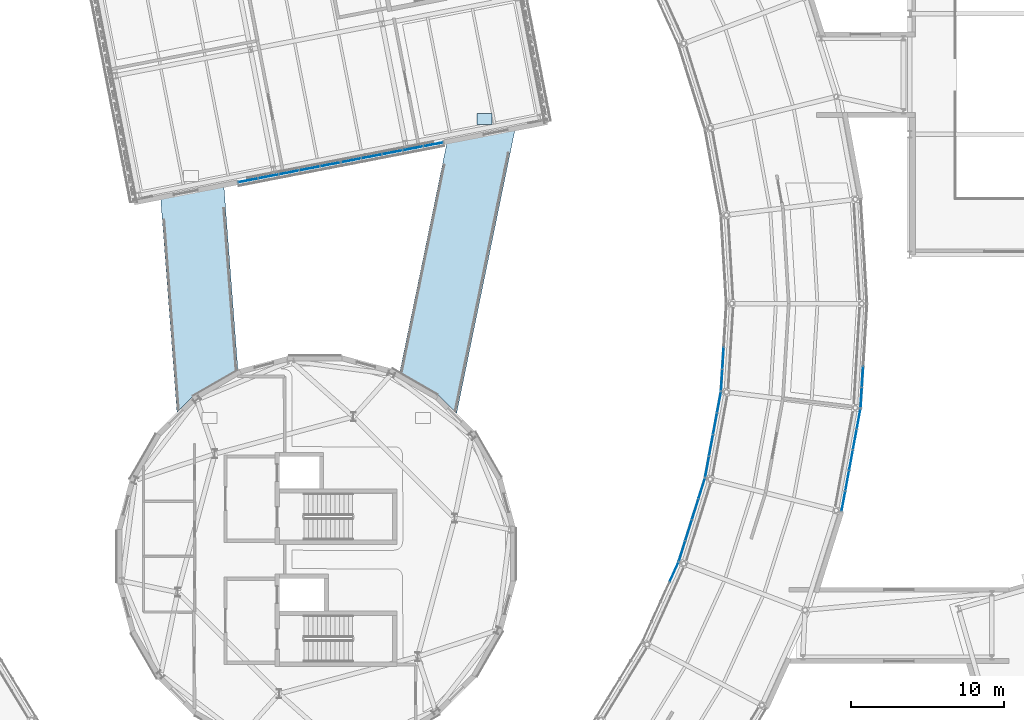
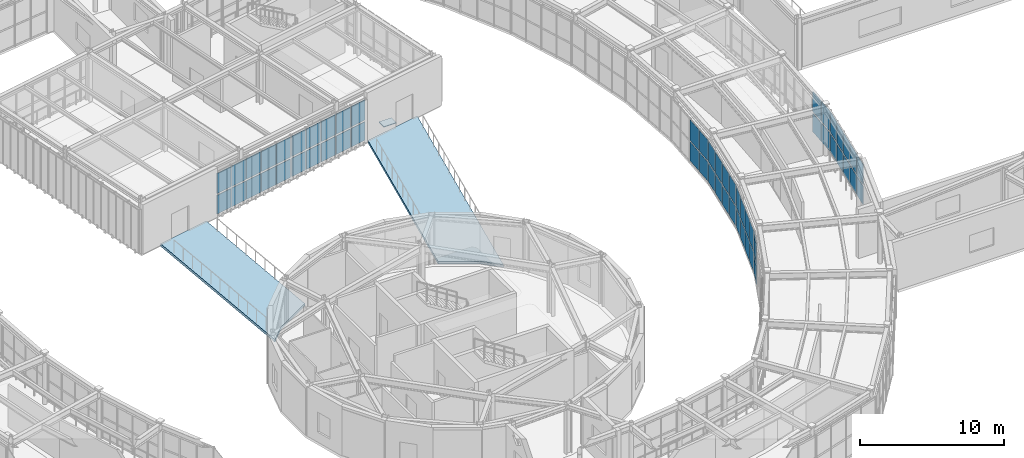
# One storey, part 61 of 103: 57 plates, 2 slabs, 8 elements without a shape of their own.
"""IFC4 building model written with IfcOpenShell, lengths in metres."""

from ifc_helpers import new_model, si_unit, direction, frame, origin, origin_2d, place, context, subcontext, project, spatial, polyline, rectangle, outline, extrude, material, layer, layer_set, type_object, element, aggregate, save


model = new_model("IFC4")

# Units and contexts
model_context = context("Model", 3, precision=1e-05, world=origin(), true_north=direction((0.0, 1.0)))
body_context = subcontext(model_context, "Body", "Model", "MODEL_VIEW")
ifc_project = project(units=[si_unit("LENGTHUNIT", "METRE"), si_unit("AREAUNIT", "SQUARE_METRE"), si_unit("VOLUMEUNIT", "CUBIC_METRE"), si_unit("PLANEANGLEUNIT", "RADIAN"), si_unit("MASSUNIT", "GRAM", prefix="KILO")], contexts=[model_context])

# Site, building, storey
site_placement = place(None, origin())
site = spatial("IfcSite", under=ifc_project, at=site_placement, CompositionType="ELEMENT")
building_placement = place(site_placement, origin())
building = spatial("IfcBuilding", under=site, at=building_placement, Name="Varnklinge Art Gallery", CompositionType="ELEMENT")
storey_placement = place(building_placement, frame((0.0, 0.0, 5.10009765625)))
storey = spatial("IfcBuildingStorey", under=building, at=storey_placement, Name="L01", CompositionType="ELEMENT", Elevation=5.10009765625)

# Curtain wall, plates
ifc_material_1 = material(Name="Anodised Aluminium", Category="aluminium")
curtain_wall_type_1 = type_object("IfcCurtainWallType", Name="CW-R04", PredefinedType="USERDEFINED", material=ifc_material_1)
curtain_wall_1_placement = place(storey_placement, origin())
curtain_wall_1 = element("IfcCurtainWall", 1, at=curtain_wall_1_placement, inside=storey, type_object=curtain_wall_type_1, Name="L01 Curtain Wall CW-V2I-L01-03", ObjectType="UNITISED CURTAIN WALL", PredefinedType="USERDEFINED")
ifc_material_2 = material(Name="Insulated Low-E Triple Glazing", Category="glass")
ifc_layer_1 = layer(ifc_material_2, 0.031982421875)
ifc_layer_set_1 = layer_set([ifc_layer_1], Name="Insulated Low-E Triple Glazing")
plate_type_1 = type_object("IfcPlateType", Name="GLZ-32", PredefinedType="CURTAIN_PANEL", material=ifc_layer_set_1)
plate_1_placement = place(storey_placement, frame((98.960205078125, 37.400390625, 0.11767578125), z_axis=(0.0, 0.0, 1.0), x_axis=(-0.413422293217, -0.910539404678, 0.0)))
plate_1 = element("IfcPlate", 2, at=plate_1_placement, type_object=plate_type_1, Name="CW-V2I-L01-03 Glazing Panel 1.1", PredefinedType="CURTAIN_PANEL", context=body_context, shape_type="SweptSolid", body=[
    extrude(rectangle(XDim=1.355712890625, YDim=0.031982421875, at=origin_2d()), origin(), (0.0, 0.0, 1.0), 1.614501953125),
])
plate_2_placement = place(storey_placement, frame((98.960205078125, 37.400390625, 1.84814453125), z_axis=(0.0, 0.0, 1.0), x_axis=(-0.413422293217, -0.910539404678, 0.0)))
plate_2 = element("IfcPlate", 3, at=plate_2_placement, type_object=plate_type_1, Name="CW-V2I-L01-03 Glazing Panel 1.2", PredefinedType="CURTAIN_PANEL", context=body_context, shape_type="SweptSolid", body=[
    extrude(rectangle(XDim=1.355712890625, YDim=0.031982421875, at=origin_2d()), origin(), (0.0, 0.0, 1.0), 1.763671875),
])
aggregate(curtain_wall_1, [plate_1, plate_2])

curtain_wall_2_placement = place(storey_placement, origin())
curtain_wall_2 = element("IfcCurtainWall", 4, at=curtain_wall_2_placement, inside=storey, type_object=curtain_wall_type_1, Name="L01 Curtain Wall CW-V2I-L01-04", ObjectType="UNITISED CURTAIN WALL", PredefinedType="USERDEFINED")
plate_3_placement = place(storey_placement, frame((100.7724609375, 42.870361328125, 0.11767578125), z_axis=(0.0, 0.0, 1.0), x_axis=(-0.299706904751, -0.954031326134, 0.0)))
plate_3 = element("IfcPlate", 5, at=plate_3_placement, type_object=plate_type_1, Name="CW-V2I-L01-04 Glazing Panel 1.1", PredefinedType="CURTAIN_PANEL", context=body_context, shape_type="SweptSolid", body=[
    extrude(rectangle(XDim=1.355712890625, YDim=0.031982421875, at=origin_2d()), origin(), (0.0, 0.0, 1.0), 1.614501953125),
])
plate_4_placement = place(storey_placement, frame((100.7724609375, 42.870361328125, 1.84814453125), z_axis=(0.0, 0.0, 1.0), x_axis=(-0.299706904751, -0.954031326134, 0.0)))
plate_4 = element("IfcPlate", 6, at=plate_4_placement, type_object=plate_type_1, Name="CW-V2I-L01-04 Glazing Panel 1.2", PredefinedType="CURTAIN_PANEL", context=body_context, shape_type="SweptSolid", body=[
    extrude(rectangle(XDim=1.355712890625, YDim=0.031982421875, at=origin_2d()), origin(), (0.0, 0.0, 1.0), 1.763671875),
])
plate_5_placement = place(storey_placement, frame((100.3447265625, 41.509033203125, 0.11767578125), z_axis=(0.0, 0.0, 1.0), x_axis=(-0.299706904751, -0.954031326134, 0.0)))
plate_5 = element("IfcPlate", 7, at=plate_5_placement, type_object=plate_type_1, Name="CW-V2I-L01-04 Glazing Panel 2.1", PredefinedType="CURTAIN_PANEL", context=body_context, shape_type="SweptSolid", body=[
    extrude(rectangle(XDim=1.3857421875, YDim=0.031982421875, at=origin_2d()), origin(), (0.0, 0.0, 1.0), 1.614501953125),
])
plate_6_placement = place(storey_placement, frame((100.3447265625, 41.509033203125, 1.84814453125), z_axis=(0.0, 0.0, 1.0), x_axis=(-0.299706904751, -0.954031326134, 0.0)))
plate_6 = element("IfcPlate", 8, at=plate_6_placement, type_object=plate_type_1, Name="CW-V2I-L01-04 Glazing Panel 2.2", PredefinedType="CURTAIN_PANEL", context=body_context, shape_type="SweptSolid", body=[
    extrude(rectangle(XDim=1.3857421875, YDim=0.031982421875, at=origin_2d()), origin(), (0.0, 0.0, 1.0), 1.763671875),
])
plate_7_placement = place(storey_placement, frame((99.91259765625, 40.1337890625, 0.11767578125), z_axis=(0.0, 0.0, 1.0), x_axis=(-0.299706904751, -0.954031326134, 0.0)))
plate_7 = element("IfcPlate", 9, at=plate_7_placement, type_object=plate_type_1, Name="CW-V2I-L01-04 Glazing Panel 3.1", PredefinedType="CURTAIN_PANEL", context=body_context, shape_type="SweptSolid", body=[
    extrude(rectangle(XDim=1.3857421875, YDim=0.031982421875, at=origin_2d()), origin(), (0.0, 0.0, 1.0), 1.614501953125),
])
plate_8_placement = place(storey_placement, frame((99.91259765625, 40.1337890625, 1.84814453125), z_axis=(0.0, 0.0, 1.0), x_axis=(-0.299706904751, -0.954031326134, 0.0)))
plate_8 = element("IfcPlate", 10, at=plate_8_placement, type_object=plate_type_1, Name="CW-V2I-L01-04 Glazing Panel 3.2", PredefinedType="CURTAIN_PANEL", context=body_context, shape_type="SweptSolid", body=[
    extrude(rectangle(XDim=1.3857421875, YDim=0.031982421875, at=origin_2d()), origin(), (0.0, 0.0, 1.0), 1.763671875),
])
plate_9_placement = place(storey_placement, frame((99.485107421875, 38.7724609375, 0.11767578125), z_axis=(0.0, 0.0, 1.0), x_axis=(-0.299706904751, -0.954031326134, 0.0)))
plate_9 = element("IfcPlate", 11, at=plate_9_placement, type_object=plate_type_1, Name="CW-V2I-L01-04 Glazing Panel 4.1", PredefinedType="CURTAIN_PANEL", context=body_context, shape_type="SweptSolid", body=[
    extrude(rectangle(XDim=1.355712890625, YDim=0.031982421875, at=origin_2d()), origin(), (0.0, 0.0, 1.0), 1.614501953125),
])
plate_10_placement = place(storey_placement, frame((99.485107421875, 38.7724609375, 1.84814453125), z_axis=(0.0, 0.0, 1.0), x_axis=(-0.299706904751, -0.954031326134, 0.0)))
plate_10 = element("IfcPlate", 12, at=plate_10_placement, type_object=plate_type_1, Name="CW-V2I-L01-04 Glazing Panel 4.2", PredefinedType="CURTAIN_PANEL", context=body_context, shape_type="SweptSolid", body=[
    extrude(rectangle(XDim=1.355712890625, YDim=0.031982421875, at=origin_2d()), origin(), (0.0, 0.0, 1.0), 1.763671875),
])
aggregate(curtain_wall_2, [plate_3, plate_4, plate_5, plate_6, plate_7, plate_8, plate_9, plate_10])

curtain_wall_3_placement = place(storey_placement, origin())
curtain_wall_3 = element("IfcCurtainWall", 13, at=curtain_wall_3_placement, inside=storey, type_object=curtain_wall_type_1, Name="L01 Curtain Wall CW-V2I-L01-05", ObjectType="UNITISED CURTAIN WALL", PredefinedType="USERDEFINED")
plate_11_placement = place(storey_placement, frame((101.906982421875, 48.52001953125, 0.11767578125), z_axis=(0.0, 0.0, 1.0), x_axis=(-0.181549039717, -0.983381892338, 0.0)))
plate_11 = element("IfcPlate", 14, at=plate_11_placement, type_object=plate_type_1, Name="CW-V2I-L01-05 Glazing Panel 1.1", PredefinedType="CURTAIN_PANEL", context=body_context, shape_type="SweptSolid", body=[
    extrude(rectangle(XDim=1.355712890625, YDim=0.031982421875, at=origin_2d()), origin(), (0.0, 0.0, 1.0), 1.614501953125),
])
plate_12_placement = place(storey_placement, frame((101.906982421875, 48.52001953125, 1.84814453125), z_axis=(0.0, 0.0, 1.0), x_axis=(-0.181549039717, -0.983381892338, 0.0)))
plate_12 = element("IfcPlate", 15, at=plate_12_placement, type_object=plate_type_1, Name="CW-V2I-L01-05 Glazing Panel 1.2", PredefinedType="CURTAIN_PANEL", context=body_context, shape_type="SweptSolid", body=[
    extrude(rectangle(XDim=1.355712890625, YDim=0.031982421875, at=origin_2d()), origin(), (0.0, 0.0, 1.0), 1.763671875),
])
plate_13_placement = place(storey_placement, frame((101.647705078125, 47.116943359375, 0.11767578125), z_axis=(0.0, 0.0, 1.0), x_axis=(-0.181549039717, -0.983381892338, 0.0)))
plate_13 = element("IfcPlate", 16, at=plate_13_placement, type_object=plate_type_1, Name="CW-V2I-L01-05 Glazing Panel 2.1", PredefinedType="CURTAIN_PANEL", context=body_context, shape_type="SweptSolid", body=[
    extrude(rectangle(XDim=1.3857421875, YDim=0.031982421875, at=origin_2d()), origin(), (0.0, 0.0, 1.0), 1.614501953125),
])
plate_14_placement = place(storey_placement, frame((101.647705078125, 47.116943359375, 1.84814453125), z_axis=(0.0, 0.0, 1.0), x_axis=(-0.181549039717, -0.983381892338, 0.0)))
plate_14 = element("IfcPlate", 17, at=plate_14_placement, type_object=plate_type_1, Name="CW-V2I-L01-05 Glazing Panel 2.2", PredefinedType="CURTAIN_PANEL", context=body_context, shape_type="SweptSolid", body=[
    extrude(rectangle(XDim=1.3857421875, YDim=0.031982421875, at=origin_2d()), origin(), (0.0, 0.0, 1.0), 1.763671875),
])
plate_15_placement = place(storey_placement, frame((101.385986328125, 45.69921875, 0.11767578125), z_axis=(0.0, 0.0, 1.0), x_axis=(-0.181549039717, -0.983381892338, 0.0)))
plate_15 = element("IfcPlate", 18, at=plate_15_placement, type_object=plate_type_1, Name="CW-V2I-L01-05 Glazing Panel 3.1", PredefinedType="CURTAIN_PANEL", context=body_context, shape_type="SweptSolid", body=[
    extrude(rectangle(XDim=1.3857421875, YDim=0.031982421875, at=origin_2d()), origin(), (0.0, 0.0, 1.0), 1.614501953125),
])
plate_16_placement = place(storey_placement, frame((101.385986328125, 45.69921875, 1.84814453125), z_axis=(0.0, 0.0, 1.0), x_axis=(-0.181549039717, -0.983381892338, 0.0)))
plate_16 = element("IfcPlate", 19, at=plate_16_placement, type_object=plate_type_1, Name="CW-V2I-L01-05 Glazing Panel 3.2", PredefinedType="CURTAIN_PANEL", context=body_context, shape_type="SweptSolid", body=[
    extrude(rectangle(XDim=1.3857421875, YDim=0.031982421875, at=origin_2d()), origin(), (0.0, 0.0, 1.0), 1.763671875),
])
plate_17_placement = place(storey_placement, frame((101.126708984375, 44.296142578125, 0.11767578125), z_axis=(0.0, 0.0, 1.0), x_axis=(-0.181549039717, -0.983381892338, 0.0)))
plate_17 = element("IfcPlate", 20, at=plate_17_placement, type_object=plate_type_1, Name="CW-V2I-L01-05 Glazing Panel 4.1", PredefinedType="CURTAIN_PANEL", context=body_context, shape_type="SweptSolid", body=[
    extrude(rectangle(XDim=1.355712890625, YDim=0.031982421875, at=origin_2d()), origin(), (0.0, 0.0, 1.0), 1.614501953125),
])
plate_18_placement = place(storey_placement, frame((101.126708984375, 44.296142578125, 1.84814453125), z_axis=(0.0, 0.0, 1.0), x_axis=(-0.181549039717, -0.983381892338, 0.0)))
plate_18 = element("IfcPlate", 21, at=plate_18_placement, type_object=plate_type_1, Name="CW-V2I-L01-05 Glazing Panel 4.2", PredefinedType="CURTAIN_PANEL", context=body_context, shape_type="SweptSolid", body=[
    extrude(rectangle(XDim=1.355712890625, YDim=0.031982421875, at=origin_2d()), origin(), (0.0, 0.0, 1.0), 1.763671875),
])
aggregate(curtain_wall_3, [plate_11, plate_12, plate_13, plate_14, plate_15, plate_16, plate_17, plate_18])

curtain_wall_4_placement = place(storey_placement, origin())
curtain_wall_4 = element("IfcCurtainWall", 22, at=curtain_wall_4_placement, inside=storey, type_object=curtain_wall_type_1, Name="L01 Curtain Wall CW-V2I-L01-06", ObjectType="UNITISED CURTAIN WALL", PredefinedType="USERDEFINED")
plate_19_placement = place(storey_placement, frame((102.172119140625, 51.40234375, 0.11767578125), z_axis=(0.0, 0.0, 1.0), x_axis=(-0.06087433122, -0.9981454382, 0.0)))
plate_19 = element("IfcPlate", 23, at=plate_19_placement, type_object=plate_type_1, Name="CW-V2I-L01-06 Glazing Panel 3.1", PredefinedType="CURTAIN_PANEL", context=body_context, shape_type="SweptSolid", body=[
    extrude(rectangle(XDim=1.3857421875, YDim=0.031982421875, at=origin_2d()), origin(), (0.0, 0.0, 1.0), 1.614501953125),
])
plate_20_placement = place(storey_placement, frame((102.172119140625, 51.40234375, 1.84814453125), z_axis=(0.0, 0.0, 1.0), x_axis=(-0.06087433122, -0.9981454382, 0.0)))
plate_20 = element("IfcPlate", 24, at=plate_20_placement, type_object=plate_type_1, Name="CW-V2I-L01-06 Glazing Panel 3.2", PredefinedType="CURTAIN_PANEL", context=body_context, shape_type="SweptSolid", body=[
    extrude(rectangle(XDim=1.3857421875, YDim=0.031982421875, at=origin_2d()), origin(), (0.0, 0.0, 1.0), 1.763671875),
])
plate_21_placement = place(storey_placement, frame((102.08544921875, 49.97802734375, 0.11767578125), z_axis=(0.0, 0.0, 1.0), x_axis=(-0.06087433122, -0.9981454382, 0.0)))
plate_21 = element("IfcPlate", 25, at=plate_21_placement, type_object=plate_type_1, Name="CW-V2I-L01-06 Glazing Panel 4.1", PredefinedType="CURTAIN_PANEL", context=body_context, shape_type="SweptSolid", body=[
    extrude(rectangle(XDim=1.355712890625, YDim=0.031982421875, at=origin_2d()), origin(), (0.0, 0.0, 1.0), 1.614501953125),
])
plate_22_placement = place(storey_placement, frame((102.08544921875, 49.97802734375, 1.84814453125), z_axis=(0.0, 0.0, 1.0), x_axis=(-0.06087433122, -0.9981454382, 0.0)))
plate_22 = element("IfcPlate", 26, at=plate_22_placement, type_object=plate_type_1, Name="CW-V2I-L01-06 Glazing Panel 4.2", PredefinedType="CURTAIN_PANEL", context=body_context, shape_type="SweptSolid", body=[
    extrude(rectangle(XDim=1.355712890625, YDim=0.031982421875, at=origin_2d()), origin(), (0.0, 0.0, 1.0), 1.763671875),
])
aggregate(curtain_wall_4, [plate_19, plate_20, plate_21, plate_22])

ifc_material_3 = material(Name="Anodised Aluminium", Category="aluminium")
curtain_wall_type_2 = type_object("IfcCurtainWallType", Name="CW-R02", PredefinedType="USERDEFINED", material=ifc_material_3)
curtain_wall_5_placement = place(storey_placement, origin())
curtain_wall_5 = element("IfcCurtainWall", 27, at=curtain_wall_5_placement, inside=storey, type_object=curtain_wall_type_2, Name="L01 Curtain Wall CW-V2O-L01-05", ObjectType="UNITISED CURTAIN WALL", PredefinedType="USERDEFINED")
ifc_material_4 = material(Name="Insulated Low-E Triple Glazing", Category="glass")
ifc_layer_2 = layer(ifc_material_4, 0.0380859375)
ifc_layer_set_2 = layer_set([ifc_layer_2], Name="Insulated Low-E Triple Glazing")
plate_type_2 = type_object("IfcPlateType", Name="GLZ-38", PredefinedType="CURTAIN_PANEL", material=ifc_layer_set_2)
plate_23_placement = place(storey_placement, frame((110.066162109375, 42.043212890625, 0.14794921875), z_axis=(0.0, 0.0, 1.0), x_axis=(0.18172066947, 0.983350191075, 0.0)))
plate_23 = element("IfcPlate", 28, at=plate_23_placement, type_object=plate_type_2, Name="CW-V2O-L01-05 Glazing Panel 1.1", PredefinedType="CURTAIN_PANEL", context=body_context, shape_type="SweptSolid", body=[
    extrude(rectangle(XDim=1.2841796875, YDim=0.0380859375, at=origin_2d()), origin(), (0.0, 0.0, 1.0), 1.5693359375),
])
plate_24_placement = place(storey_placement, frame((110.066162109375, 42.043212890625, 1.86328125), z_axis=(0.0, 0.0, 1.0), x_axis=(0.18172066947, 0.983350191075, 0.0)))
plate_24 = element("IfcPlate", 29, at=plate_24_placement, type_object=plate_type_2, Name="CW-V2O-L01-05 Glazing Panel 1.2", PredefinedType="CURTAIN_PANEL", context=body_context, shape_type="SweptSolid", body=[
    extrude(rectangle(XDim=1.2841796875, YDim=0.0380859375, at=origin_2d()), origin(), (0.0, 0.0, 1.0), 1.718505859375),
])
plate_25_placement = place(storey_placement, frame((110.3134765625, 43.382080078125, 0.14794921875), z_axis=(0.0, 0.0, 1.0), x_axis=(0.18172066947, 0.983350191075, 0.0)))
plate_25 = element("IfcPlate", 30, at=plate_25_placement, type_object=plate_type_2, Name="CW-V2O-L01-05 Glazing Panel 2.1", PredefinedType="CURTAIN_PANEL", context=body_context, shape_type="SweptSolid", body=[
    extrude(rectangle(XDim=1.31689453125, YDim=0.0380859375, at=origin_2d()), origin(), (0.0, 0.0, 1.0), 1.5693359375),
])
plate_26_placement = place(storey_placement, frame((110.3134765625, 43.382080078125, 1.86328125), z_axis=(0.0, 0.0, 1.0), x_axis=(0.18172066947, 0.983350191075, 0.0)))
plate_26 = element("IfcPlate", 31, at=plate_26_placement, type_object=plate_type_2, Name="CW-V2O-L01-05 Glazing Panel 2.2", PredefinedType="CURTAIN_PANEL", context=body_context, shape_type="SweptSolid", body=[
    extrude(rectangle(XDim=1.31689453125, YDim=0.0380859375, at=origin_2d()), origin(), (0.0, 0.0, 1.0), 1.718505859375),
])
plate_27_placement = place(storey_placement, frame((110.563720703125, 44.73681640625, 0.14794921875), z_axis=(0.0, 0.0, 1.0), x_axis=(0.18172066947, 0.983350191075, 0.0)))
plate_27 = element("IfcPlate", 32, at=plate_27_placement, type_object=plate_type_2, Name="CW-V2O-L01-05 Glazing Panel 3.1", PredefinedType="CURTAIN_PANEL", context=body_context, shape_type="SweptSolid", body=[
    extrude(rectangle(XDim=1.31689453125, YDim=0.0380859375, at=origin_2d()), origin(), (0.0, 0.0, 1.0), 1.5693359375),
])
plate_28_placement = place(storey_placement, frame((110.563720703125, 44.73681640625, 1.86328125), z_axis=(0.0, 0.0, 1.0), x_axis=(0.18172066947, 0.983350191075, 0.0)))
plate_28 = element("IfcPlate", 33, at=plate_28_placement, type_object=plate_type_2, Name="CW-V2O-L01-05 Glazing Panel 3.2", PredefinedType="CURTAIN_PANEL", context=body_context, shape_type="SweptSolid", body=[
    extrude(rectangle(XDim=1.31689453125, YDim=0.0380859375, at=origin_2d()), origin(), (0.0, 0.0, 1.0), 1.718505859375),
])
plate_29_placement = place(storey_placement, frame((110.81396484375, 46.091796875, 0.14794921875), z_axis=(0.0, 0.0, 1.0), x_axis=(0.18172066947, 0.983350191075, 0.0)))
plate_29 = element("IfcPlate", 34, at=plate_29_placement, type_object=plate_type_2, Name="CW-V2O-L01-05 Glazing Panel 4.1", PredefinedType="CURTAIN_PANEL", context=body_context, shape_type="SweptSolid", body=[
    extrude(rectangle(XDim=1.31689453125, YDim=0.0380859375, at=origin_2d()), origin(), (0.0, 0.0, 1.0), 1.5693359375),
])
plate_30_placement = place(storey_placement, frame((110.81396484375, 46.091796875, 1.86328125), z_axis=(0.0, 0.0, 1.0), x_axis=(0.18172066947, 0.983350191075, 0.0)))
plate_30 = element("IfcPlate", 35, at=plate_30_placement, type_object=plate_type_2, Name="CW-V2O-L01-05 Glazing Panel 4.2", PredefinedType="CURTAIN_PANEL", context=body_context, shape_type="SweptSolid", body=[
    extrude(rectangle(XDim=1.31689453125, YDim=0.0380859375, at=origin_2d()), origin(), (0.0, 0.0, 1.0), 1.718505859375),
])
plate_31_placement = place(storey_placement, frame((111.061279296875, 47.4306640625, 0.14794921875), z_axis=(0.0, 0.0, 1.0), x_axis=(0.18172066947, 0.983350191075, 0.0)))
plate_31 = element("IfcPlate", 36, at=plate_31_placement, type_object=plate_type_2, Name="CW-V2O-L01-05 Glazing Panel 5.1", PredefinedType="CURTAIN_PANEL", context=body_context, shape_type="SweptSolid", body=[
    extrude(rectangle(XDim=1.2841796875, YDim=0.0380859375, at=origin_2d()), origin(), (0.0, 0.0, 1.0), 1.5693359375),
])
plate_32_placement = place(storey_placement, frame((111.061279296875, 47.4306640625, 1.86328125), z_axis=(0.0, 0.0, 1.0), x_axis=(0.18172066947, 0.983350191075, 0.0)))
plate_32 = element("IfcPlate", 37, at=plate_32_placement, type_object=plate_type_2, Name="CW-V2O-L01-05 Glazing Panel 5.2", PredefinedType="CURTAIN_PANEL", context=body_context, shape_type="SweptSolid", body=[
    extrude(rectangle(XDim=1.2841796875, YDim=0.0380859375, at=origin_2d()), origin(), (0.0, 0.0, 1.0), 1.718505859375),
])
aggregate(curtain_wall_5, [plate_23, plate_24, plate_25, plate_26, plate_27, plate_28, plate_29, plate_30, plate_31, plate_32])

curtain_wall_6_placement = place(storey_placement, origin())
curtain_wall_6 = element("IfcCurtainWall", 38, at=curtain_wall_6_placement, inside=storey, type_object=curtain_wall_type_2, Name="L01 Curtain Wall CW-V2O-L01-06", ObjectType="UNITISED CURTAIN WALL", PredefinedType="USERDEFINED")
plate_33_placement = place(storey_placement, frame((111.232421875, 48.827880859375, 0.14794921875), z_axis=(0.0, 0.0, 1.0), x_axis=(0.06087433122, 0.9981454382, 0.0)))
plate_33 = element("IfcPlate", 39, at=plate_33_placement, type_object=plate_type_2, Name="CW-V2O-L01-06 Glazing Panel 1.1", PredefinedType="CURTAIN_PANEL", context=body_context, shape_type="SweptSolid", body=[
    extrude(rectangle(XDim=1.2841796875, YDim=0.0380859375, at=origin_2d()), origin(), (0.0, 0.0, 1.0), 1.5693359375),
])
plate_34_placement = place(storey_placement, frame((111.232421875, 48.827880859375, 1.86328125), z_axis=(0.0, 0.0, 1.0), x_axis=(0.06087433122, 0.9981454382, 0.0)))
plate_34 = element("IfcPlate", 40, at=plate_34_placement, type_object=plate_type_2, Name="CW-V2O-L01-06 Glazing Panel 1.2", PredefinedType="CURTAIN_PANEL", context=body_context, shape_type="SweptSolid", body=[
    extrude(rectangle(XDim=1.2841796875, YDim=0.0380859375, at=origin_2d()), origin(), (0.0, 0.0, 1.0), 1.718505859375),
])
plate_35_placement = place(storey_placement, frame((111.315185546875, 50.186767578125, 0.14794921875), z_axis=(0.0, 0.0, 1.0), x_axis=(0.06087433122, 0.9981454382, 0.0)))
plate_35 = element("IfcPlate", 41, at=plate_35_placement, type_object=plate_type_2, Name="CW-V2O-L01-06 Glazing Panel 2.1", PredefinedType="CURTAIN_PANEL", context=body_context, shape_type="SweptSolid", body=[
    extrude(rectangle(XDim=1.31689453125, YDim=0.0380859375, at=origin_2d()), origin(), (0.0, 0.0, 1.0), 1.5693359375),
])
plate_36_placement = place(storey_placement, frame((111.315185546875, 50.186767578125, 1.86328125), z_axis=(0.0, 0.0, 1.0), x_axis=(0.06087433122, 0.9981454382, 0.0)))
plate_36 = element("IfcPlate", 42, at=plate_36_placement, type_object=plate_type_2, Name="CW-V2O-L01-06 Glazing Panel 2.2", PredefinedType="CURTAIN_PANEL", context=body_context, shape_type="SweptSolid", body=[
    extrude(rectangle(XDim=1.31689453125, YDim=0.0380859375, at=origin_2d()), origin(), (0.0, 0.0, 1.0), 1.718505859375),
])
aggregate(curtain_wall_6, [plate_33, plate_34, plate_35, plate_36])

ifc_material_5 = material(Name="Anodised Aluminium", Category="aluminium")
curtain_wall_type_3 = type_object("IfcCurtainWallType", Name="CW-L02", PredefinedType="USERDEFINED", material=ifc_material_5)
curtain_wall_7_placement = place(storey_placement, origin())
curtain_wall_7 = element("IfcCurtainWall", 43, at=curtain_wall_7_placement, inside=storey, type_object=curtain_wall_type_3, Name="L01 Curtain Wall CW-V4B-L01-1-1-2", ObjectType="UNITISED CURTAIN WALL", PredefinedType="USERDEFINED")
ifc_material_6 = material(Name="Insulated Low-E Triple Glazing", Category="glass")
ifc_layer_3 = layer(ifc_material_6, 0.0439453125)
ifc_layer_set_3 = layer_set([ifc_layer_3], Name="Insulated Low-E Triple Glazing")
plate_type_3 = type_object("IfcPlateType", Name="GLZ-44", PredefinedType="CURTAIN_PANEL", material=ifc_layer_set_3)
plate_37_placement = place(storey_placement, frame((71.025146484375, 63.072998046875, 0.14794921875), z_axis=(0.0, 0.0, 1.0), x_axis=(0.981627183448, 0.190808995377, 0.0)))
plate_37 = element("IfcPlate", 44, at=plate_37_placement, type_object=plate_type_3, Name="CW-V4B-L01-1-1-2 Glazing Panel 1.1", PredefinedType="CURTAIN_PANEL", context=body_context, shape_type="SweptSolid", body=[
    extrude(rectangle(XDim=1.271484375, YDim=0.0439453125, at=origin_2d()), origin(), (0.0, 0.0, 1.0), 1.5791015625),
])
plate_38_placement = place(storey_placement, frame((71.025146484375, 63.072998046875, 1.872802734375), z_axis=(0.0, 0.0, 1.0), x_axis=(0.981627183448, 0.190808995377, 0.0)))
plate_38 = element("IfcPlate", 45, at=plate_38_placement, type_object=plate_type_3, Name="CW-V4B-L01-1-1-2 Glazing Panel 1.2", PredefinedType="CURTAIN_PANEL", context=body_context, shape_type="SweptSolid", body=[
    extrude(rectangle(XDim=1.271484375, YDim=0.0439453125, at=origin_2d()), origin(), (0.0, 0.0, 1.0), 1.72900390625),
])
plate_39_placement = place(storey_placement, frame((72.361572265625, 63.332763671875, 0.14794921875), z_axis=(0.0, 0.0, 1.0), x_axis=(0.981627183448, 0.190808995377, 0.0)))
plate_39 = element("IfcPlate", 46, at=plate_39_placement, type_object=plate_type_3, Name="CW-V4B-L01-1-1-2 Glazing Panel 2.1", PredefinedType="CURTAIN_PANEL", context=body_context, shape_type="SweptSolid", body=[
    extrude(rectangle(XDim=1.30908203125, YDim=0.0439453125, at=origin_2d()), origin(), (0.0, 0.0, 1.0), 1.5791015625),
])
plate_40_placement = place(storey_placement, frame((72.361572265625, 63.332763671875, 1.872802734375), z_axis=(0.0, 0.0, 1.0), x_axis=(0.981627183448, 0.190808995377, 0.0)))
plate_40 = element("IfcPlate", 47, at=plate_40_placement, type_object=plate_type_3, Name="CW-V4B-L01-1-1-2 Glazing Panel 2.2", PredefinedType="CURTAIN_PANEL", context=body_context, shape_type="SweptSolid", body=[
    extrude(rectangle(XDim=1.30908203125, YDim=0.0439453125, at=origin_2d()), origin(), (0.0, 0.0, 1.0), 1.72900390625),
])
plate_41_placement = place(storey_placement, frame((73.716064453125, 63.59619140625, 0.14794921875), z_axis=(0.0, 0.0, 1.0), x_axis=(0.981627183448, 0.190808995377, 0.0)))
plate_41 = element("IfcPlate", 48, at=plate_41_placement, type_object=plate_type_3, Name="CW-V4B-L01-1-1-2 Glazing Panel 3.1", PredefinedType="CURTAIN_PANEL", context=body_context, shape_type="SweptSolid", body=[
    extrude(rectangle(XDim=1.30908203125, YDim=0.0439453125, at=origin_2d()), origin(), (0.0, 0.0, 1.0), 1.5791015625),
])
plate_42_placement = place(storey_placement, frame((73.716064453125, 63.59619140625, 1.872802734375), z_axis=(0.0, 0.0, 1.0), x_axis=(0.981627183448, 0.190808995377, 0.0)))
plate_42 = element("IfcPlate", 49, at=plate_42_placement, type_object=plate_type_3, Name="CW-V4B-L01-1-1-2 Glazing Panel 3.2", PredefinedType="CURTAIN_PANEL", context=body_context, shape_type="SweptSolid", body=[
    extrude(rectangle(XDim=1.30908203125, YDim=0.0439453125, at=origin_2d()), origin(), (0.0, 0.0, 1.0), 1.72900390625),
])
plate_43_placement = place(storey_placement, frame((75.07080078125, 63.859375, 0.14794921875), z_axis=(0.0, 0.0, 1.0), x_axis=(0.981627183448, 0.190808995377, 0.0)))
plate_43 = element("IfcPlate", 50, at=plate_43_placement, type_object=plate_type_3, Name="CW-V4B-L01-1-1-2 Glazing Panel 4.1", PredefinedType="CURTAIN_PANEL", context=body_context, shape_type="SweptSolid", body=[
    extrude(rectangle(XDim=1.30908203125, YDim=0.0439453125, at=origin_2d()), origin(), (0.0, 0.0, 1.0), 1.5791015625),
])
plate_44_placement = place(storey_placement, frame((75.07080078125, 63.859375, 1.872802734375), z_axis=(0.0, 0.0, 1.0), x_axis=(0.981627183448, 0.190808995377, 0.0)))
plate_44 = element("IfcPlate", 51, at=plate_44_placement, type_object=plate_type_3, Name="CW-V4B-L01-1-1-2 Glazing Panel 4.2", PredefinedType="CURTAIN_PANEL", context=body_context, shape_type="SweptSolid", body=[
    extrude(rectangle(XDim=1.30908203125, YDim=0.0439453125, at=origin_2d()), origin(), (0.0, 0.0, 1.0), 1.72900390625),
])
plate_45_placement = place(storey_placement, frame((76.406982421875, 64.119140625, 0.14794921875), z_axis=(0.0, 0.0, 1.0), x_axis=(0.981627183448, 0.190808995377, 0.0)))
plate_45 = element("IfcPlate", 52, at=plate_45_placement, type_object=plate_type_3, Name="CW-V4B-L01-1-1-2 Glazing Panel 5.1", PredefinedType="CURTAIN_PANEL", context=body_context, shape_type="SweptSolid", body=[
    extrude(rectangle(XDim=1.271484375, YDim=0.0439453125, at=origin_2d()), origin(), (0.0, 0.0, 1.0), 1.5791015625),
])
plate_46_placement = place(storey_placement, frame((76.406982421875, 64.119140625, 1.872802734375), z_axis=(0.0, 0.0, 1.0), x_axis=(0.981627183448, 0.190808995377, 0.0)))
plate_46 = element("IfcPlate", 53, at=plate_46_placement, type_object=plate_type_3, Name="CW-V4B-L01-1-1-2 Glazing Panel 5.2", PredefinedType="CURTAIN_PANEL", context=body_context, shape_type="SweptSolid", body=[
    extrude(rectangle(XDim=1.271484375, YDim=0.0439453125, at=origin_2d()), origin(), (0.0, 0.0, 1.0), 1.72900390625),
])
aggregate(curtain_wall_7, [plate_37, plate_38, plate_39, plate_40, plate_41, plate_42, plate_43, plate_44, plate_45, plate_46])

curtain_wall_8_placement = place(storey_placement, origin())
curtain_wall_8 = element("IfcCurtainWall", 54, at=curtain_wall_8_placement, inside=storey, type_object=curtain_wall_type_3, Name="L01 Curtain Wall CW-V4B-L01-1-1-3", ObjectType="UNITISED CURTAIN WALL", PredefinedType="USERDEFINED")
plate_47_placement = place(storey_placement, frame((77.798583984375, 64.3896484375, 0.14794921875), z_axis=(0.0, 0.0, 1.0), x_axis=(0.981627183448, 0.190808995377, 0.0)))
plate_47 = element("IfcPlate", 55, at=plate_47_placement, type_object=plate_type_3, Name="CW-V4B-L01-1-1-3 Glazing Panel 1.1", PredefinedType="CURTAIN_PANEL", context=body_context, shape_type="SweptSolid", body=[
    extrude(rectangle(XDim=1.271484375, YDim=0.0439453125, at=origin_2d()), origin(), (0.0, 0.0, 1.0), 1.5791015625),
])
plate_48_placement = place(storey_placement, frame((77.798583984375, 64.3896484375, 1.872802734375), z_axis=(0.0, 0.0, 1.0), x_axis=(0.981627183448, 0.190808995377, 0.0)))
plate_48 = element("IfcPlate", 56, at=plate_48_placement, type_object=plate_type_3, Name="CW-V4B-L01-1-1-3 Glazing Panel 1.2", PredefinedType="CURTAIN_PANEL", context=body_context, shape_type="SweptSolid", body=[
    extrude(rectangle(XDim=1.271484375, YDim=0.0439453125, at=origin_2d()), origin(), (0.0, 0.0, 1.0), 1.72900390625),
])
plate_49_placement = place(storey_placement, frame((79.134765625, 64.6494140625, 0.14794921875), z_axis=(0.0, 0.0, 1.0), x_axis=(0.981627183448, 0.190808995377, 0.0)))
plate_49 = element("IfcPlate", 57, at=plate_49_placement, type_object=plate_type_3, Name="CW-V4B-L01-1-1-3 Glazing Panel 2.1", PredefinedType="CURTAIN_PANEL", context=body_context, shape_type="SweptSolid", body=[
    extrude(rectangle(XDim=1.30908203125, YDim=0.0439453125, at=origin_2d()), origin(), (0.0, 0.0, 1.0), 1.5791015625),
])
plate_50_placement = place(storey_placement, frame((79.134765625, 64.6494140625, 1.872802734375), z_axis=(0.0, 0.0, 1.0), x_axis=(0.981627183448, 0.190808995377, 0.0)))
plate_50 = element("IfcPlate", 58, at=plate_50_placement, type_object=plate_type_3, Name="CW-V4B-L01-1-1-3 Glazing Panel 2.2", PredefinedType="CURTAIN_PANEL", context=body_context, shape_type="SweptSolid", body=[
    extrude(rectangle(XDim=1.30908203125, YDim=0.0439453125, at=origin_2d()), origin(), (0.0, 0.0, 1.0), 1.72900390625),
])
plate_51_placement = place(storey_placement, frame((80.489501953125, 64.91259765625, 0.14794921875), z_axis=(0.0, 0.0, 1.0), x_axis=(0.981627183448, 0.190808995377, 0.0)))
plate_51 = element("IfcPlate", 59, at=plate_51_placement, type_object=plate_type_3, Name="CW-V4B-L01-1-1-3 Glazing Panel 3.1", PredefinedType="CURTAIN_PANEL", context=body_context, shape_type="SweptSolid", body=[
    extrude(rectangle(XDim=1.30908203125, YDim=0.0439453125, at=origin_2d()), origin(), (0.0, 0.0, 1.0), 1.5791015625),
])
plate_52_placement = place(storey_placement, frame((80.489501953125, 64.91259765625, 1.872802734375), z_axis=(0.0, 0.0, 1.0), x_axis=(0.981627183448, 0.190808995377, 0.0)))
plate_52 = element("IfcPlate", 60, at=plate_52_placement, type_object=plate_type_3, Name="CW-V4B-L01-1-1-3 Glazing Panel 3.2", PredefinedType="CURTAIN_PANEL", context=body_context, shape_type="SweptSolid", body=[
    extrude(rectangle(XDim=1.30908203125, YDim=0.0439453125, at=origin_2d()), origin(), (0.0, 0.0, 1.0), 1.72900390625),
])
plate_53_placement = place(storey_placement, frame((81.843994140625, 65.176025390625, 0.14794921875), z_axis=(0.0, 0.0, 1.0), x_axis=(0.981627183448, 0.190808995377, 0.0)))
plate_53 = element("IfcPlate", 61, at=plate_53_placement, type_object=plate_type_3, Name="CW-V4B-L01-1-1-3 Glazing Panel 4.1", PredefinedType="CURTAIN_PANEL", context=body_context, shape_type="SweptSolid", body=[
    extrude(rectangle(XDim=1.30908203125, YDim=0.0439453125, at=origin_2d()), origin(), (0.0, 0.0, 1.0), 1.5791015625),
])
plate_54_placement = place(storey_placement, frame((81.843994140625, 65.176025390625, 1.872802734375), z_axis=(0.0, 0.0, 1.0), x_axis=(0.981627183448, 0.190808995377, 0.0)))
plate_54 = element("IfcPlate", 62, at=plate_54_placement, type_object=plate_type_3, Name="CW-V4B-L01-1-1-3 Glazing Panel 4.2", PredefinedType="CURTAIN_PANEL", context=body_context, shape_type="SweptSolid", body=[
    extrude(rectangle(XDim=1.30908203125, YDim=0.0439453125, at=origin_2d()), origin(), (0.0, 0.0, 1.0), 1.72900390625),
])
plate_55_placement = place(storey_placement, frame((83.180419921875, 65.435791015625, 0.14794921875), z_axis=(0.0, 0.0, 1.0), x_axis=(0.981627183448, 0.190808995377, 0.0)))
plate_55 = element("IfcPlate", 63, at=plate_55_placement, type_object=plate_type_3, Name="CW-V4B-L01-1-1-3 Glazing Panel 5.1", PredefinedType="CURTAIN_PANEL", context=body_context, shape_type="SweptSolid", body=[
    extrude(rectangle(XDim=1.271484375, YDim=0.0439453125, at=origin_2d()), origin(), (0.0, 0.0, 1.0), 1.5791015625),
])
plate_56_placement = place(storey_placement, frame((83.180419921875, 65.435791015625, 1.872802734375), z_axis=(0.0, 0.0, 1.0), x_axis=(0.981627183448, 0.190808995377, 0.0)))
plate_56 = element("IfcPlate", 64, at=plate_56_placement, type_object=plate_type_3, Name="CW-V4B-L01-1-1-3 Glazing Panel 5.2", PredefinedType="CURTAIN_PANEL", context=body_context, shape_type="SweptSolid", body=[
    extrude(rectangle(XDim=1.271484375, YDim=0.0439453125, at=origin_2d()), origin(), (0.0, 0.0, 1.0), 1.72900390625),
])
aggregate(curtain_wall_8, [plate_47, plate_48, plate_49, plate_50, plate_51, plate_52, plate_53, plate_54, plate_55, plate_56])

# Plate
ifc_material_7 = material(Name="Steel S355", Category="steel")
ifc_layer_4 = layer(ifc_material_7, 0.06005859375)
ifc_layer_set_4 = layer_set([ifc_layer_4], Name="Steel S355")
plate_type_4 = type_object("IfcPlateType", Name="PLT-BP3", PredefinedType="SHEET", material=ifc_layer_set_4)
plate_57_placement = place(storey_placement, frame((86.531982421875, 67.10595703125, -0.280029296875), z_axis=(0.0, 0.0, 1.0), x_axis=(1.0, 0.0, 0.0)))
element("IfcPlate", 65, at=plate_57_placement, inside=storey, type_object=plate_type_4, Name="L01 East Sculpture Court Bridge 500mm Sliding Bearing Seat Plate ENDB", PredefinedType="SHEET", context=body_context, shape_type="SweptSolid", body=[
    extrude(rectangle(XDim=1.0, YDim=0.699951171875, at=origin_2d()), origin(), (0.0, 0.0, 1.0), 0.06005859375),
])

# Slabs
ifc_material_8 = material(Name="Concrete C40/50", Category="concrete")
ifc_layer_5 = layer(ifc_material_8, 0.219970703125)
ifc_layer_set_5 = layer_set([ifc_layer_5], Name="Concrete C40/50")
slab_type = type_object("IfcSlabType", Name="SLB-EXT22", PredefinedType="FLOOR", material=ifc_layer_set_5)
slab_1_placement = place(storey_placement, frame((0.0, 0.0, -0.22021484375)))
element("IfcSlab", 66, at=slab_1_placement, inside=storey, type_object=slab_type, Name="L01 West Sculpture Court Bridge Deck", PredefinedType="FLOOR", context=body_context, shape_type="SweptSolid", body=[
    extrude(outline(polyline([(69.443603515625, 62.765625), (65.293212890625, 61.958740234375), (66.365478515625, 47.87353515625), (67.46435546875, 48.972412109375), (70.366455078125, 50.647705078125), (69.443603515625, 62.765625)])), origin(), (0.0, 0.0, 1.0), 0.22021484375),
])
slab_2_placement = place(storey_placement, frame((0.0, 0.0, -0.22021484375)))
element("IfcSlab", 67, at=slab_2_placement, inside=storey, type_object=slab_type, Name="L01 East Sculpture Court Bridge Deck", PredefinedType="FLOOR", context=body_context, shape_type="SweptSolid", body=[
    extrude(outline(polyline([(84.7060546875, 47.802001953125), (88.546875, 66.478759765625), (84.080322265625, 65.610595703125), (80.964111328125, 50.456787109375), (83.53564453125, 48.972412109375), (84.7060546875, 47.802001953125)])), origin(), (0.0, 0.0, 1.0), 0.22021484375),
])

save(model, "model.ifc")
